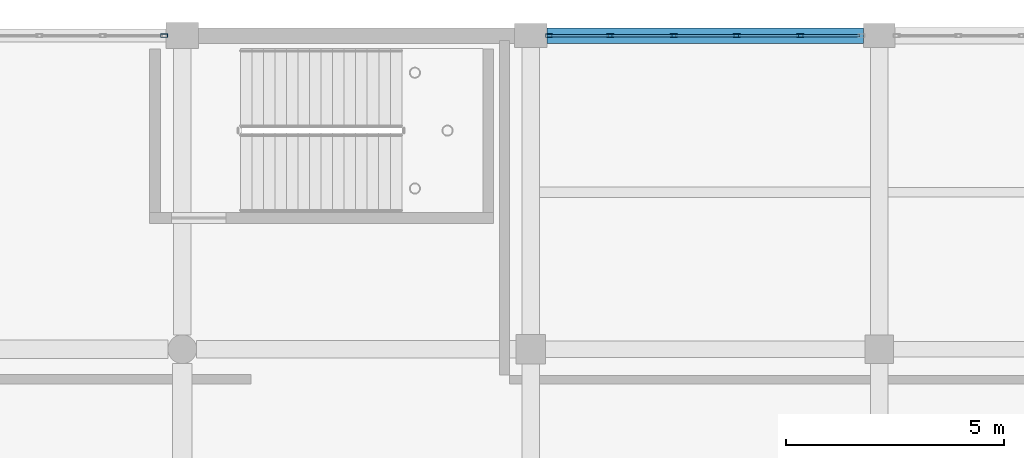
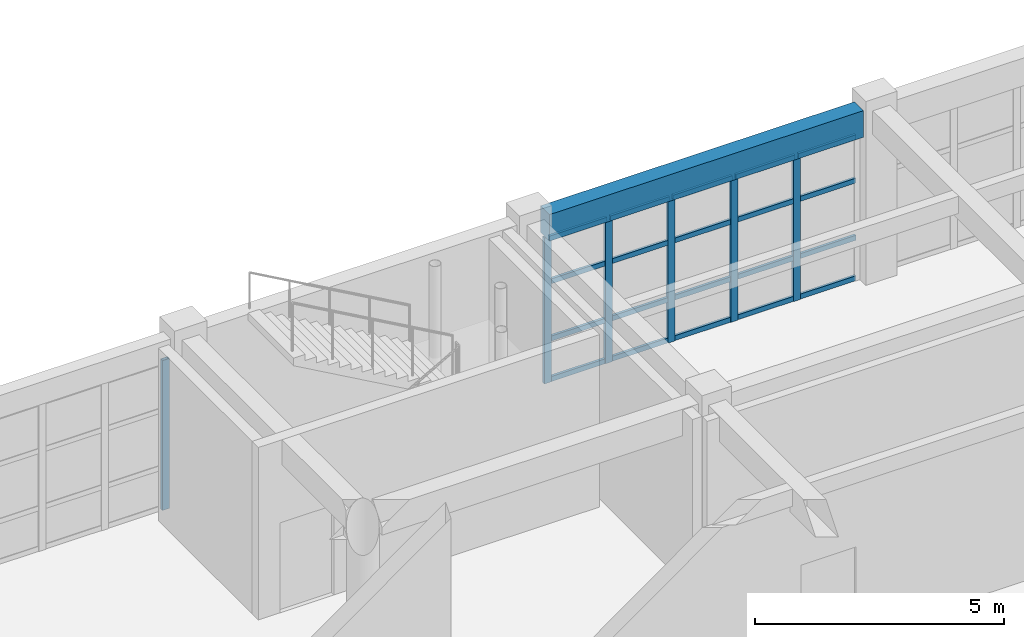
# One storey, part 104 of 160: 26 members, 1 beam, 2 elements without a shape of their own.
"""IFC4 building model written with IfcOpenShell, lengths in metres."""

from ifc_helpers import new_model, si_unit, direction, frame, origin, origin_2d, place, context, subcontext, project, spatial, rectangle, hollow_rectangle, extrude, material, material_profile, profile_set, type_object, element, aggregate, save


model = new_model("IFC4")

# Units and contexts
model_context = context("Model", 3, precision=1e-05, world=origin(), true_north=direction((0.0, 1.0)))
body_context = subcontext(model_context, "Body", "Model", "MODEL_VIEW")
ifc_project = project(units=[si_unit("LENGTHUNIT", "METRE"), si_unit("AREAUNIT", "SQUARE_METRE"), si_unit("VOLUMEUNIT", "CUBIC_METRE"), si_unit("PLANEANGLEUNIT", "RADIAN"), si_unit("MASSUNIT", "GRAM", prefix="KILO")], contexts=[model_context])

# Site, building, storey
site_placement = place(None, origin())
site = spatial("IfcSite", under=ifc_project, at=site_placement, CompositionType="ELEMENT")
building_placement = place(site_placement, origin())
building = spatial("IfcBuilding", under=site, at=building_placement, Name="Kharva Crest Polytechnic", CompositionType="ELEMENT")
storey_placement = place(building_placement, frame((0.0, 0.0, 4.5)))
storey = spatial("IfcBuildingStorey", under=building, at=storey_placement, Name="L01", CompositionType="ELEMENT", Elevation=4.5)

# Curtain wall, members
ifc_material_1 = material(Name="Tempered insulated glass", Category="glass")
curtain_wall_type = type_object("IfcCurtainWallType", Name="CW-SYS-COURT", PredefinedType="USERDEFINED", material=ifc_material_1)
curtain_wall_1_placement = place(storey_placement, origin())
curtain_wall_1 = element("IfcCurtainWall", 1, at=curtain_wall_1_placement, inside=storey, type_object=curtain_wall_type, Name="L01 Glazed Curtain Wall CW-070", ObjectType="CURTAIN WALL", PredefinedType="USERDEFINED")
ifc_material_2 = material(Name="Steel S355", Category="steel")
ifc_material_profile_1 = material_profile(ifc_material_2, hollow_rectangle(XDim=0.080078125, YDim=0.159912109375, WallThickness=0.0048828125, at=origin_2d()), Name="RHS 160X80X5.0")
ifc_profile_set_1 = profile_set([ifc_material_profile_1], Name="Steel S355")
member_type_1 = type_object("IfcMemberType", Name="CWM-RHS160X80", PredefinedType="MULLION", material=ifc_profile_set_1)
member_1_placement = place(storey_placement, frame((158.98388671875, 122.0, 0.0), z_axis=(0.0, 0.0, 1.0), x_axis=(0.0, -1.0, 0.0)))
member_1 = element("IfcMember", 2, at=member_1_placement, type_object=member_type_1, Name="CW-070 mullion 2", PredefinedType="MULLION", context=body_context, shape_type="SweptSolid", body=[
    extrude(hollow_rectangle(XDim=0.080078125, YDim=0.159912109375, WallThickness=0.0048828125, at=origin_2d()), origin(), (0.0, 0.0, 1.0), 3.570068359375),
])
member_2_placement = place(storey_placement, frame((157.532958984375, 122.0, 0.0), z_axis=(0.0, 0.0, 1.0), x_axis=(0.0, -1.0, 0.0)))
member_2 = element("IfcMember", 3, at=member_2_placement, type_object=member_type_1, Name="CW-070 mullion 3", PredefinedType="MULLION", context=body_context, shape_type="SweptSolid", body=[
    extrude(hollow_rectangle(XDim=0.080078125, YDim=0.159912109375, WallThickness=0.0048828125, at=origin_2d()), origin(), (0.0, 0.0, 1.0), 3.570068359375),
])
member_3_placement = place(storey_placement, frame((156.08203125, 122.0, 0.0), z_axis=(0.0, 0.0, 1.0), x_axis=(0.0, -1.0, 0.0)))
member_3 = element("IfcMember", 4, at=member_3_placement, type_object=member_type_1, Name="CW-070 mullion 4", PredefinedType="MULLION", context=body_context, shape_type="SweptSolid", body=[
    extrude(hollow_rectangle(XDim=0.080078125, YDim=0.159912109375, WallThickness=0.0048828125, at=origin_2d()), origin(), (0.0, 0.0, 1.0), 3.570068359375),
])
member_4_placement = place(storey_placement, frame((154.631103515625, 122.0, 0.0), z_axis=(0.0, 0.0, 1.0), x_axis=(0.0, -1.0, 0.0)))
member_4 = element("IfcMember", 5, at=member_4_placement, type_object=member_type_1, Name="CW-070 mullion 5", PredefinedType="MULLION", context=body_context, shape_type="SweptSolid", body=[
    extrude(hollow_rectangle(XDim=0.080078125, YDim=0.159912109375, WallThickness=0.0048828125, at=origin_2d()), origin(), (0.0, 0.0, 1.0), 3.570068359375),
])
member_5_placement = place(storey_placement, frame((153.219970703125, 122.0, 0.0), z_axis=(0.0, 0.0, 1.0), x_axis=(0.0, -1.0, 0.0)))
member_5 = element("IfcMember", 6, at=member_5_placement, type_object=member_type_1, Name="CW-070 mullion 6", PredefinedType="MULLION", context=body_context, shape_type="SweptSolid", body=[
    extrude(hollow_rectangle(XDim=0.080078125, YDim=0.159912109375, WallThickness=0.0048828125, at=origin_2d()), origin(), (0.0, 0.0, 1.0), 3.570068359375),
])

# Curtain wall, member
curtain_wall_2_placement = place(storey_placement, origin())
curtain_wall_2 = element("IfcCurtainWall", 7, at=curtain_wall_2_placement, inside=storey, type_object=curtain_wall_type, Name="L01 Glazed Curtain Wall CW-071", ObjectType="CURTAIN WALL", PredefinedType="USERDEFINED")
member_6_placement = place(storey_placement, frame((144.3798828125, 122.0, 0.0), z_axis=(0.0, 0.0, 1.0), x_axis=(0.0, -1.0, 0.0)))
member_6 = element("IfcMember", 8, at=member_6_placement, type_object=member_type_1, Name="CW-071 mullion 1", PredefinedType="MULLION", context=body_context, shape_type="SweptSolid", body=[
    extrude(hollow_rectangle(XDim=0.080078125, YDim=0.159912109375, WallThickness=0.0048828125, at=origin_2d()), origin(), (0.0, 0.0, 1.0), 3.669921875),
])
aggregate(curtain_wall_2, [member_6])

# Member
ifc_material_profile_2 = material_profile(ifc_material_2, hollow_rectangle(XDim=0.06005859375, YDim=0.1201171875, WallThickness=0.00390625, at=origin_2d()), Name="RHS 120X60X4.0")
ifc_profile_set_2 = profile_set([ifc_material_profile_2], Name="Steel S355")
member_type_2 = type_object("IfcMemberType", Name="CWT-RHS120X60", PredefinedType="USERDEFINED", material=ifc_profile_set_2)
member_7_placement = place(storey_placement, frame((160.35498046875, 122.0, 0.06005859375), z_axis=(-1.0, 0.0, 0.0), x_axis=(0.0, -1.0, 0.0)))
member_7 = element("IfcMember", 9, at=member_7_placement, type_object=member_type_2, Name="CW-070 transom 1.1", ObjectType="TRANSOM", PredefinedType="USERDEFINED", context=body_context, shape_type="SweptSolid", body=[
    extrude(hollow_rectangle(XDim=0.06005859375, YDim=0.1201171875, WallThickness=0.00390625, at=origin_2d()), origin(), (0.0, 0.0, 1.0), 1.3310546875),
])

member_8_placement = place(storey_placement, frame((160.35498046875, 122.0, 1.050048828125), z_axis=(-1.0, 0.0, 0.0), x_axis=(0.0, -1.0, 0.0)))
member_8 = element("IfcMember", 10, at=member_8_placement, type_object=member_type_2, Name="CW-070 transom 1.2", ObjectType="TRANSOM", PredefinedType="USERDEFINED", context=body_context, shape_type="SweptSolid", body=[
    extrude(hollow_rectangle(XDim=0.06005859375, YDim=0.1201171875, WallThickness=0.00390625, at=origin_2d()), origin(), (0.0, 0.0, 1.0), 1.3310546875),
])

member_9_placement = place(storey_placement, frame((160.35498046875, 122.0, 2.449951171875), z_axis=(-1.0, 0.0, 0.0), x_axis=(0.0, -1.0, 0.0)))
member_9 = element("IfcMember", 11, at=member_9_placement, type_object=member_type_2, Name="CW-070 transom 1.3", ObjectType="TRANSOM", PredefinedType="USERDEFINED", context=body_context, shape_type="SweptSolid", body=[
    extrude(hollow_rectangle(XDim=0.06005859375, YDim=0.1201171875, WallThickness=0.00390625, at=origin_2d()), origin(), (0.0, 0.0, 1.0), 1.3310546875),
])

member_10_placement = place(storey_placement, frame((160.35498046875, 122.0, 3.510009765625), z_axis=(-1.0, 0.0, 0.0), x_axis=(0.0, -1.0, 0.0)))
member_10 = element("IfcMember", 12, at=member_10_placement, type_object=member_type_2, Name="CW-070 transom 1.4", ObjectType="TRANSOM", PredefinedType="USERDEFINED", context=body_context, shape_type="SweptSolid", body=[
    extrude(hollow_rectangle(XDim=0.06005859375, YDim=0.1201171875, WallThickness=0.00390625, at=origin_2d()), origin(), (0.0, 0.0, 1.0), 1.3310546875),
])

member_11_placement = place(storey_placement, frame((158.944091796875, 122.0, 0.06005859375), z_axis=(-1.0, 0.0, 0.0), x_axis=(0.0, -1.0, 0.0)))
member_11 = element("IfcMember", 13, at=member_11_placement, type_object=member_type_2, Name="CW-070 transom 2.1", ObjectType="TRANSOM", PredefinedType="USERDEFINED", context=body_context, shape_type="SweptSolid", body=[
    extrude(hollow_rectangle(XDim=0.06005859375, YDim=0.1201171875, WallThickness=0.00390625, at=origin_2d()), origin(), (0.0, 0.0, 1.0), 1.37109375),
])

member_12_placement = place(storey_placement, frame((158.944091796875, 122.0, 1.050048828125), z_axis=(-1.0, 0.0, 0.0), x_axis=(0.0, -1.0, 0.0)))
member_12 = element("IfcMember", 14, at=member_12_placement, type_object=member_type_2, Name="CW-070 transom 2.2", ObjectType="TRANSOM", PredefinedType="USERDEFINED", context=body_context, shape_type="SweptSolid", body=[
    extrude(hollow_rectangle(XDim=0.06005859375, YDim=0.1201171875, WallThickness=0.00390625, at=origin_2d()), origin(), (0.0, 0.0, 1.0), 1.37109375),
])

member_13_placement = place(storey_placement, frame((158.944091796875, 122.0, 2.449951171875), z_axis=(-1.0, 0.0, 0.0), x_axis=(0.0, -1.0, 0.0)))
member_13 = element("IfcMember", 15, at=member_13_placement, type_object=member_type_2, Name="CW-070 transom 2.3", ObjectType="TRANSOM", PredefinedType="USERDEFINED", context=body_context, shape_type="SweptSolid", body=[
    extrude(hollow_rectangle(XDim=0.06005859375, YDim=0.1201171875, WallThickness=0.00390625, at=origin_2d()), origin(), (0.0, 0.0, 1.0), 1.37109375),
])

member_14_placement = place(storey_placement, frame((158.944091796875, 122.0, 3.510009765625), z_axis=(-1.0, 0.0, 0.0), x_axis=(0.0, -1.0, 0.0)))
member_14 = element("IfcMember", 16, at=member_14_placement, type_object=member_type_2, Name="CW-070 transom 2.4", ObjectType="TRANSOM", PredefinedType="USERDEFINED", context=body_context, shape_type="SweptSolid", body=[
    extrude(hollow_rectangle(XDim=0.06005859375, YDim=0.1201171875, WallThickness=0.00390625, at=origin_2d()), origin(), (0.0, 0.0, 1.0), 1.37109375),
])

member_15_placement = place(storey_placement, frame((157.492919921875, 122.0, 0.06005859375), z_axis=(-1.0, 0.0, 0.0), x_axis=(0.0, -1.0, 0.0)))
member_15 = element("IfcMember", 17, at=member_15_placement, type_object=member_type_2, Name="CW-070 transom 3.1", ObjectType="TRANSOM", PredefinedType="USERDEFINED", context=body_context, shape_type="SweptSolid", body=[
    extrude(hollow_rectangle(XDim=0.06005859375, YDim=0.1201171875, WallThickness=0.00390625, at=origin_2d()), origin(), (0.0, 0.0, 1.0), 1.370849609375),
])

member_16_placement = place(storey_placement, frame((157.492919921875, 122.0, 1.050048828125), z_axis=(-1.0, 0.0, 0.0), x_axis=(0.0, -1.0, 0.0)))
member_16 = element("IfcMember", 18, at=member_16_placement, type_object=member_type_2, Name="CW-070 transom 3.2", ObjectType="TRANSOM", PredefinedType="USERDEFINED", context=body_context, shape_type="SweptSolid", body=[
    extrude(hollow_rectangle(XDim=0.06005859375, YDim=0.1201171875, WallThickness=0.00390625, at=origin_2d()), origin(), (0.0, 0.0, 1.0), 1.370849609375),
])

member_17_placement = place(storey_placement, frame((157.492919921875, 122.0, 2.449951171875), z_axis=(-1.0, 0.0, 0.0), x_axis=(0.0, -1.0, 0.0)))
member_17 = element("IfcMember", 19, at=member_17_placement, type_object=member_type_2, Name="CW-070 transom 3.3", ObjectType="TRANSOM", PredefinedType="USERDEFINED", context=body_context, shape_type="SweptSolid", body=[
    extrude(hollow_rectangle(XDim=0.06005859375, YDim=0.1201171875, WallThickness=0.00390625, at=origin_2d()), origin(), (0.0, 0.0, 1.0), 1.370849609375),
])

member_18_placement = place(storey_placement, frame((157.492919921875, 122.0, 3.510009765625), z_axis=(-1.0, 0.0, 0.0), x_axis=(0.0, -1.0, 0.0)))
member_18 = element("IfcMember", 20, at=member_18_placement, type_object=member_type_2, Name="CW-070 transom 3.4", ObjectType="TRANSOM", PredefinedType="USERDEFINED", context=body_context, shape_type="SweptSolid", body=[
    extrude(hollow_rectangle(XDim=0.06005859375, YDim=0.1201171875, WallThickness=0.00390625, at=origin_2d()), origin(), (0.0, 0.0, 1.0), 1.370849609375),
])

member_19_placement = place(storey_placement, frame((156.0419921875, 122.0, 0.06005859375), z_axis=(-1.0, 0.0, 0.0), x_axis=(0.0, -1.0, 0.0)))
member_19 = element("IfcMember", 21, at=member_19_placement, type_object=member_type_2, Name="CW-070 transom 4.1", ObjectType="TRANSOM", PredefinedType="USERDEFINED", context=body_context, shape_type="SweptSolid", body=[
    extrude(hollow_rectangle(XDim=0.06005859375, YDim=0.1201171875, WallThickness=0.00390625, at=origin_2d()), origin(), (0.0, 0.0, 1.0), 1.37109375),
])

member_20_placement = place(storey_placement, frame((156.0419921875, 122.0, 1.050048828125), z_axis=(-1.0, 0.0, 0.0), x_axis=(0.0, -1.0, 0.0)))
member_20 = element("IfcMember", 22, at=member_20_placement, type_object=member_type_2, Name="CW-070 transom 4.2", ObjectType="TRANSOM", PredefinedType="USERDEFINED", context=body_context, shape_type="SweptSolid", body=[
    extrude(hollow_rectangle(XDim=0.06005859375, YDim=0.1201171875, WallThickness=0.00390625, at=origin_2d()), origin(), (0.0, 0.0, 1.0), 1.37109375),
])

member_21_placement = place(storey_placement, frame((156.0419921875, 122.0, 2.449951171875), z_axis=(-1.0, 0.0, 0.0), x_axis=(0.0, -1.0, 0.0)))
member_21 = element("IfcMember", 23, at=member_21_placement, type_object=member_type_2, Name="CW-070 transom 4.3", ObjectType="TRANSOM", PredefinedType="USERDEFINED", context=body_context, shape_type="SweptSolid", body=[
    extrude(hollow_rectangle(XDim=0.06005859375, YDim=0.1201171875, WallThickness=0.00390625, at=origin_2d()), origin(), (0.0, 0.0, 1.0), 1.37109375),
])

member_22_placement = place(storey_placement, frame((156.0419921875, 122.0, 3.510009765625), z_axis=(-1.0, 0.0, 0.0), x_axis=(0.0, -1.0, 0.0)))
member_22 = element("IfcMember", 24, at=member_22_placement, type_object=member_type_2, Name="CW-070 transom 4.4", ObjectType="TRANSOM", PredefinedType="USERDEFINED", context=body_context, shape_type="SweptSolid", body=[
    extrude(hollow_rectangle(XDim=0.06005859375, YDim=0.1201171875, WallThickness=0.00390625, at=origin_2d()), origin(), (0.0, 0.0, 1.0), 1.37109375),
])

member_23_placement = place(storey_placement, frame((154.591064453125, 122.0, 0.06005859375), z_axis=(-1.0, 0.0, 0.0), x_axis=(0.0, -1.0, 0.0)))
member_23 = element("IfcMember", 25, at=member_23_placement, type_object=member_type_2, Name="CW-070 transom 5.1", ObjectType="TRANSOM", PredefinedType="USERDEFINED", context=body_context, shape_type="SweptSolid", body=[
    extrude(hollow_rectangle(XDim=0.06005859375, YDim=0.1201171875, WallThickness=0.00390625, at=origin_2d()), origin(), (0.0, 0.0, 1.0), 1.3310546875),
])

member_24_placement = place(storey_placement, frame((154.591064453125, 122.0, 1.050048828125), z_axis=(-1.0, 0.0, 0.0), x_axis=(0.0, -1.0, 0.0)))
member_24 = element("IfcMember", 26, at=member_24_placement, type_object=member_type_2, Name="CW-070 transom 5.2", ObjectType="TRANSOM", PredefinedType="USERDEFINED", context=body_context, shape_type="SweptSolid", body=[
    extrude(hollow_rectangle(XDim=0.06005859375, YDim=0.1201171875, WallThickness=0.00390625, at=origin_2d()), origin(), (0.0, 0.0, 1.0), 1.3310546875),
])

member_25_placement = place(storey_placement, frame((154.591064453125, 122.0, 2.449951171875), z_axis=(-1.0, 0.0, 0.0), x_axis=(0.0, -1.0, 0.0)))
member_25 = element("IfcMember", 27, at=member_25_placement, type_object=member_type_2, Name="CW-070 transom 5.3", ObjectType="TRANSOM", PredefinedType="USERDEFINED", context=body_context, shape_type="SweptSolid", body=[
    extrude(hollow_rectangle(XDim=0.06005859375, YDim=0.1201171875, WallThickness=0.00390625, at=origin_2d()), origin(), (0.0, 0.0, 1.0), 1.3310546875),
])

member_26_placement = place(storey_placement, frame((154.591064453125, 122.0, 3.510009765625), z_axis=(-1.0, 0.0, 0.0), x_axis=(0.0, -1.0, 0.0)))
member_26 = element("IfcMember", 28, at=member_26_placement, type_object=member_type_2, Name="CW-070 transom 5.4", ObjectType="TRANSOM", PredefinedType="USERDEFINED", context=body_context, shape_type="SweptSolid", body=[
    extrude(hollow_rectangle(XDim=0.06005859375, YDim=0.1201171875, WallThickness=0.00390625, at=origin_2d()), origin(), (0.0, 0.0, 1.0), 1.3310546875),
])

aggregate(curtain_wall_1, [member_1, member_2, member_3, member_4, member_5, member_7, member_8, member_9, member_10, member_11, member_12, member_13, member_14, member_15, member_16, member_17, member_18, member_19, member_20, member_21, member_22, member_23, member_24, member_25, member_26])

# Beam
ifc_material_3 = material(Name="Concrete C35/45", Category="concrete")
ifc_material_profile_3 = material_profile(ifc_material_3, rectangle(XDim=0.360107421875, YDim=0.64990234375, at=origin_2d()), Name="RECT 360 X 650")
ifc_profile_set_3 = profile_set([ifc_material_profile_3], Name="Concrete C35/45")
beam_type = type_object("IfcBeamType", Name="SP-RC-360X650", PredefinedType="SPANDREL", material=ifc_profile_set_3)
beam_placement = place(storey_placement, frame((153.175048828125, 122.0, 3.89501953125), z_axis=(1.0, 0.0, 0.0), x_axis=(0.0, 1.0, 0.0)))
element("IfcBeam", 29, at=beam_placement, inside=storey, type_object=beam_type, Name="L01 Beam S/20-21", PredefinedType="SPANDREL", context=body_context, shape_type="SweptSolid", body=[
    extrude(rectangle(XDim=0.360107421875, YDim=0.64990234375, at=origin_2d()), origin(), (0.0, 0.0, 1.0), 7.264892578125),
])

save(model, "model.ifc")
